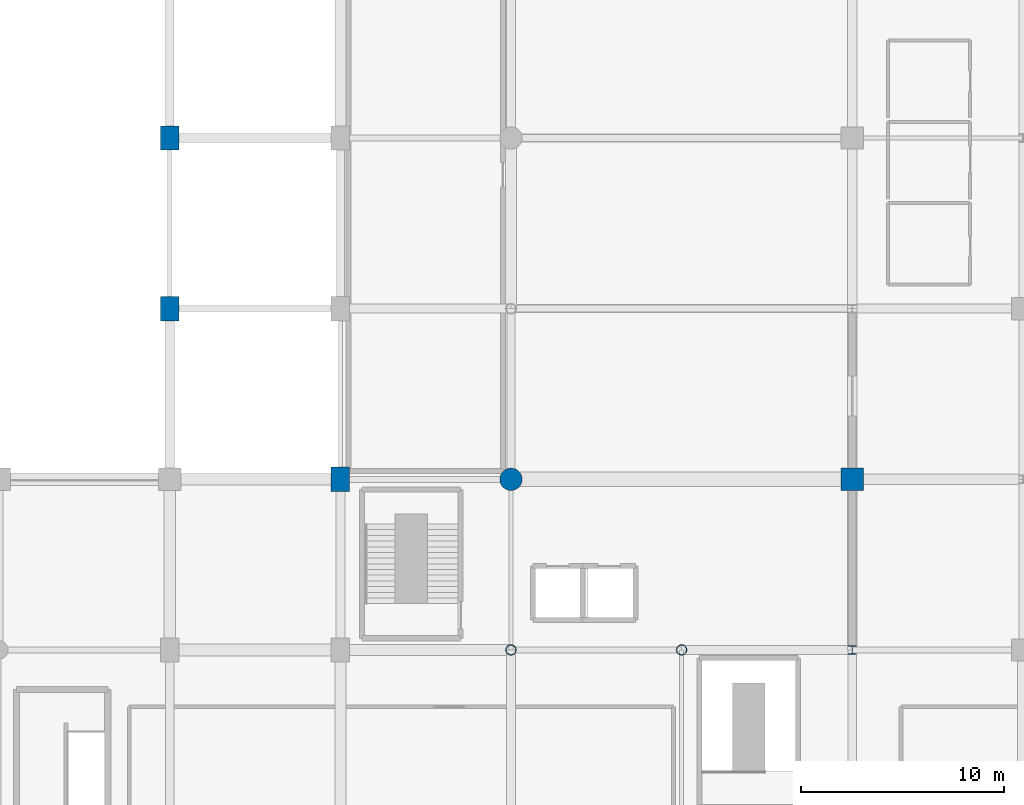
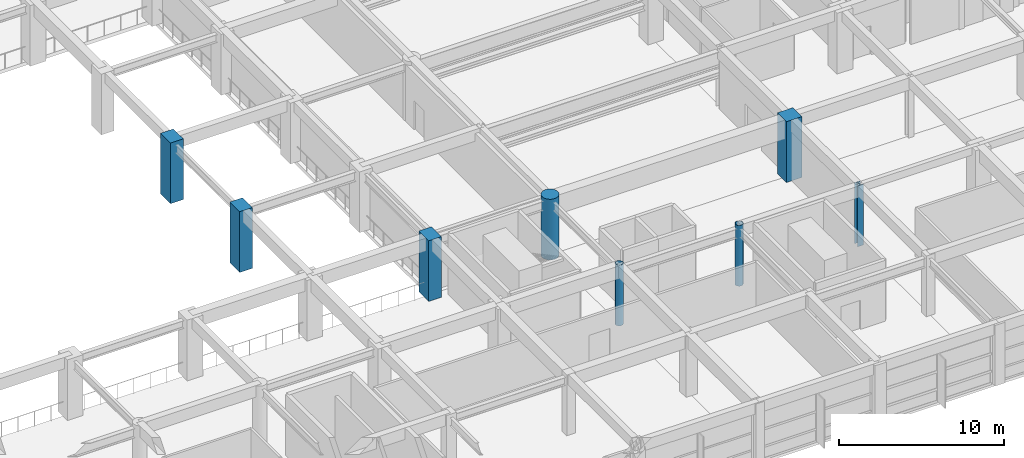
# One storey, part 2 of 56: 8 columns.
"""IFC4 building model written with IfcOpenShell, lengths in metres."""

from ifc_helpers import new_model, si_unit, direction, frame, origin, origin_2d, place, context, subcontext, project, spatial, rectangle, circle, hollow_circle, i_section, extrude, material, material_profile, profile_set, type_object, element, save


model = new_model("IFC4")

# Units and contexts
model_context = context("Model", 3, precision=1e-05, world=origin(), true_north=direction((0.0, 1.0)))
body_context = subcontext(model_context, "Body", "Model", "MODEL_VIEW")
ifc_project = project(units=[si_unit("LENGTHUNIT", "METRE"), si_unit("AREAUNIT", "SQUARE_METRE"), si_unit("VOLUMEUNIT", "CUBIC_METRE"), si_unit("PLANEANGLEUNIT", "RADIAN"), si_unit("MASSUNIT", "GRAM", prefix="KILO")], contexts=[model_context])

# Site, building, storey
site_placement = place(None, origin())
site = spatial("IfcSite", under=ifc_project, at=site_placement, CompositionType="ELEMENT")
building_placement = place(site_placement, origin())
building = spatial("IfcBuilding", under=site, at=building_placement, Name="Xuanlan Plaza Opera House", CompositionType="ELEMENT")
storey_placement = place(building_placement, frame((0.0, 0.0, 18.89990234375)))
storey = spatial("IfcBuildingStorey", under=building, at=storey_placement, Name="L04", CompositionType="ELEMENT", Elevation=18.89990234375)

# Columns
ifc_material_1 = material(Name="Concrete C50", Category="concrete")
ifc_material_profile_1 = material_profile(ifc_material_1, rectangle(XDim=1.10009765625, YDim=1.10009765625, at=origin_2d()), Name="RC-COL 1100x1100")
ifc_profile_set_1 = profile_set([ifc_material_profile_1], Name="Concrete C50")
column_type_1 = type_object("IfcColumnType", Name="STR-COL-C-03", PredefinedType="COLUMN", material=ifc_profile_set_1)
column_1_placement = place(storey_placement, frame((126.0, 42.0, 0.0), z_axis=(0.0, 0.0, 1.0), x_axis=(1.0, 0.0, 0.0)))
element("IfcColumn", 1, at=column_1_placement, inside=storey, type_object=column_type_1, Name="Column L04 16-F", PredefinedType="COLUMN", context=body_context, shape_type="SweptSolid", body=[
    extrude(rectangle(XDim=1.10009765625, YDim=1.10009765625, at=origin_2d()), origin(), (0.0, 0.0, 1.0), 4.5),
])
ifc_material_profile_2 = material_profile(ifc_material_1, rectangle(XDim=0.89990234375, YDim=1.199951171875, at=origin_2d()), Name="RC-COL 900x1200")
ifc_profile_set_2 = profile_set([ifc_material_profile_2], Name="Concrete C50")
column_type_2 = type_object("IfcColumnType", Name="STR-COL-C-10", PredefinedType="COLUMN", material=ifc_profile_set_2)
for number, where, z_axis, x_axis, name in (
    (2, (92.39990234375, 50.39990234375, 0.0), (0.0, 0.0, 1.0), (1.0, 0.0, 0.0), "Column L04 12-G"),
    (3, (92.39990234375, 58.800048828125, 0.0), (0.0, 0.0, 1.0), (1.0, 0.0, 0.0), "Column L04 12-H"),
    (4, (100.800048828125, 42.0, 0.0), (0.0, 0.0, 1.0), (1.0, 0.0, 0.0), "Column L04 13-F"),
):
    element("IfcColumn", number, at=place(storey_placement, frame(where, z_axis=z_axis, x_axis=x_axis)), inside=storey, type_object=column_type_2, Name=name, PredefinedType="COLUMN", context=body_context, shape_type="SweptSolid", body=[
        extrude(rectangle(XDim=0.89990234375, YDim=1.199951171875, at=origin_2d()), origin(), (0.0, 0.0, 1.0), 4.5),
    ])
ifc_material_profile_3 = material_profile(ifc_material_1, circle(Radius=0.550048828125, at=origin_2d()), Name="RC-COL D1100")
ifc_profile_set_3 = profile_set([ifc_material_profile_3], Name="Concrete C50")
column_type_3 = type_object("IfcColumnType", Name="STR-COL-C-11", PredefinedType="COLUMN", material=ifc_profile_set_3)
column_2_placement = place(storey_placement, frame((109.199951171875, 42.0, 0.0), z_axis=(0.0, 0.0, 1.0), x_axis=(1.0, 0.0, 0.0)))
element("IfcColumn", 5, at=column_2_placement, inside=storey, type_object=column_type_3, Name="Column L04 14-F", PredefinedType="COLUMN", context=body_context, shape_type="SweptSolid", body=[
    extrude(circle(Radius=0.550048828125, at=origin_2d()), origin(), (0.0, 0.0, 1.0), 4.5),
])
ifc_material_2 = material(Name="Steel Q355B", Category="steel")
ifc_material_profile_4 = material_profile(ifc_material_2, i_section(OverallWidth=0.39990234375, OverallDepth=0.39990234375, WebThickness=0.012939453125, FlangeThickness=0.02099609375, FilletRadius=0.02197265625, at=origin_2d()), Name="HW 400x400x13x21")
ifc_profile_set_4 = profile_set([ifc_material_profile_4], Name="Steel Q355B")
column_type_4 = type_object("IfcColumnType", Name="STR-COL-C-14", PredefinedType="COLUMN", material=ifc_profile_set_4)
column_3_placement = place(storey_placement, frame((126.0, 33.60009765625, 0.0), z_axis=(0.0, 0.0, 1.0), x_axis=(1.0, 0.0, 0.0)))
element("IfcColumn", 6, at=column_3_placement, inside=storey, type_object=column_type_4, Name="Column L04 16-E", PredefinedType="COLUMN", context=body_context, shape_type="SweptSolid", body=[
    extrude(i_section(OverallWidth=0.39990234375, OverallDepth=0.39990234375, WebThickness=0.012939453125, FlangeThickness=0.02099609375, FilletRadius=0.02197265625, at=origin_2d()), origin(), (0.0, 0.0, 1.0), 4.5),
])
ifc_material_profile_5 = material_profile(ifc_material_2, hollow_circle(Radius=0.25390625, WallThickness=0.02001953125, at=origin_2d()), Name="CHS 508x20")
ifc_profile_set_5 = profile_set([ifc_material_profile_5], Name="Steel Q355B")
column_type_5 = type_object("IfcColumnType", Name="STR-COL-C-16", PredefinedType="COLUMN", material=ifc_profile_set_5)
for number, where, z_axis, x_axis, name in (
    (7, (109.199951171875, 33.60009765625, 0.0), (0.0, 0.0, 1.0), (1.0, 0.0, 0.0), "Column L04 14-E"),
    (8, (117.60009765625, 33.60009765625, 0.0), (0.0, 0.0, 1.0), (1.0, 0.0, 0.0), "Column L04 15-E"),
):
    element("IfcColumn", number, at=place(storey_placement, frame(where, z_axis=z_axis, x_axis=x_axis)), inside=storey, type_object=column_type_5, Name=name, PredefinedType="COLUMN", context=body_context, shape_type="SweptSolid", body=[
        extrude(hollow_circle(Radius=0.25390625, WallThickness=0.02001953125, at=origin_2d()), origin(), (0.0, 0.0, 1.0), 4.5),
    ])

save(model, "model.ifc")
